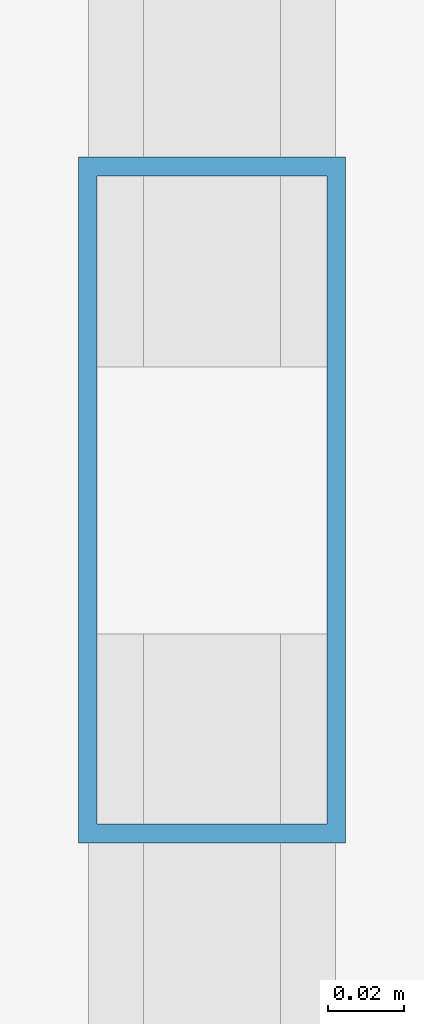
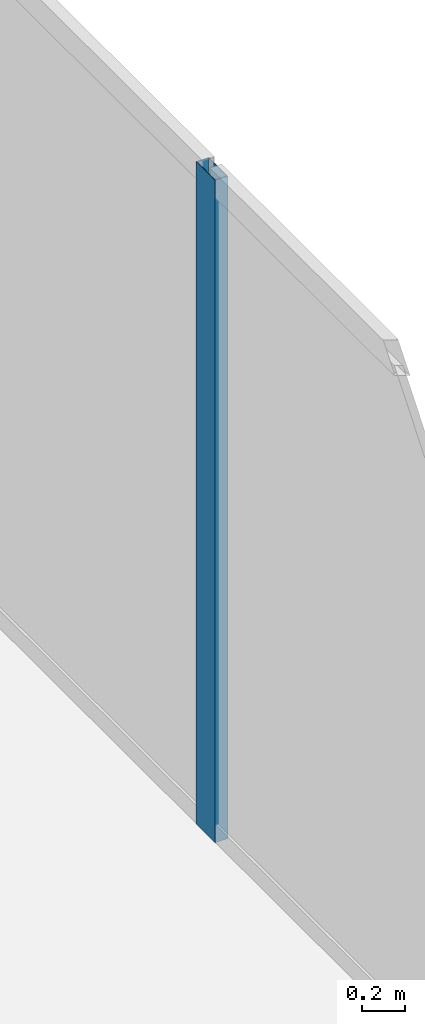
# One storey, part 24 of 34: 1 member, 1 element without a shape of its own.
"""IFC4 building model written with IfcOpenShell, lengths in metres."""

from ifc_helpers import new_model, si_unit, direction, frame, origin, origin_2d, place, context, subcontext, project, spatial, hollow_rectangle, extrude, source, transform, mapped, material, layer, layer_set, material_profile, profile_set, type_object, type_shapes, element, aggregate, save


model = new_model("IFC4")

# Units and contexts
model_context = context("Model", 3, precision=1e-05, world=origin(), true_north=direction((0.0, 1.0)))
body_context = subcontext(model_context, "Body", "Model", "MODEL_VIEW")
ifc_project = project(units=[si_unit("LENGTHUNIT", "METRE"), si_unit("AREAUNIT", "SQUARE_METRE"), si_unit("VOLUMEUNIT", "CUBIC_METRE"), si_unit("PLANEANGLEUNIT", "RADIAN"), si_unit("MASSUNIT", "GRAM", prefix="KILO")], contexts=[model_context])

# Site, building, storey
site_placement = place(None, origin())
site = spatial("IfcSite", under=ifc_project, at=site_placement, CompositionType="ELEMENT")
building_placement = place(site_placement, origin())
building = spatial("IfcBuilding", under=site, at=building_placement, Name="Haelvirn Gate Laboratories", CompositionType="ELEMENT")
storey_placement = place(building_placement, frame((0.0, 0.0, 205.5)))
storey = spatial("IfcBuildingStorey", under=building, at=storey_placement, Name="L49", CompositionType="ELEMENT", Elevation=205.5)

# Curtain wall, member
ifc_material_1 = material(Name="Anodised bronze unitised aluminium & triple low-E glass", Category="aluminium")
ifc_layer = layer(ifc_material_1, 0.176025390625, Name="CW-SYS-4")
ifc_layer_set = layer_set([ifc_layer], Name="Anodised bronze unitised aluminium & triple low-E glass")
curtain_wall_type = type_object("IfcCurtainWallType", Name="CW-SYS-4", PredefinedType="NOTDEFINED", material=ifc_layer_set)
curtain_wall_placement = place(storey_placement, origin())
curtain_wall = element("IfcCurtainWall", 1, at=curtain_wall_placement, inside=storey, type_object=curtain_wall_type, Name="L49 Unitised Curtain Wall CW-L49-P0-E07", PredefinedType="NOTDEFINED")
ifc_material_2 = material(Name="Extruded aluminium 6063-T6 (anodised bronze)", Category="aluminium")
ifc_material_profile = material_profile(ifc_material_2, hollow_rectangle(XDim=0.070068359375, YDim=0.179931640625, WallThickness=0.0048828125, at=origin_2d()), Name="CWM-180x70x5")
ifc_profile_set = profile_set([ifc_material_profile], Name="Extruded aluminium 6063-T6 (anodised bronze)")
member_type = type_object("IfcMemberType", Name="CWM-T180", PredefinedType="MULLION", material=ifc_profile_set)
shared_shape = source(origin(), body_context, "Body", "SweptSolid", [
    extrude(hollow_rectangle(XDim=0.070068359375, YDim=0.179931640625, WallThickness=0.0048828125, at=origin_2d()), origin(), (0.0, 0.0, 1.0), 3.800048828125),
])
type_shapes(member_type, [shared_shape])
member_placement = place(storey_placement, frame((70.699951171875, 24.300048828125, 0.0), z_axis=(0.0, 0.0, 1.0), x_axis=(-1.0, 0.0, 0.0)))
member = element("IfcMember", 2, at=member_placement, type_object=member_type, Name="CW4 mullion 2", PredefinedType="MULLION", context=body_context, shape_type="MappedRepresentation", body=[
    mapped(shared_shape, transform((0.0, 0.0, 0.0), scale=1.0)),
])
aggregate(curtain_wall, [member])

save(model, "model.ifc")
